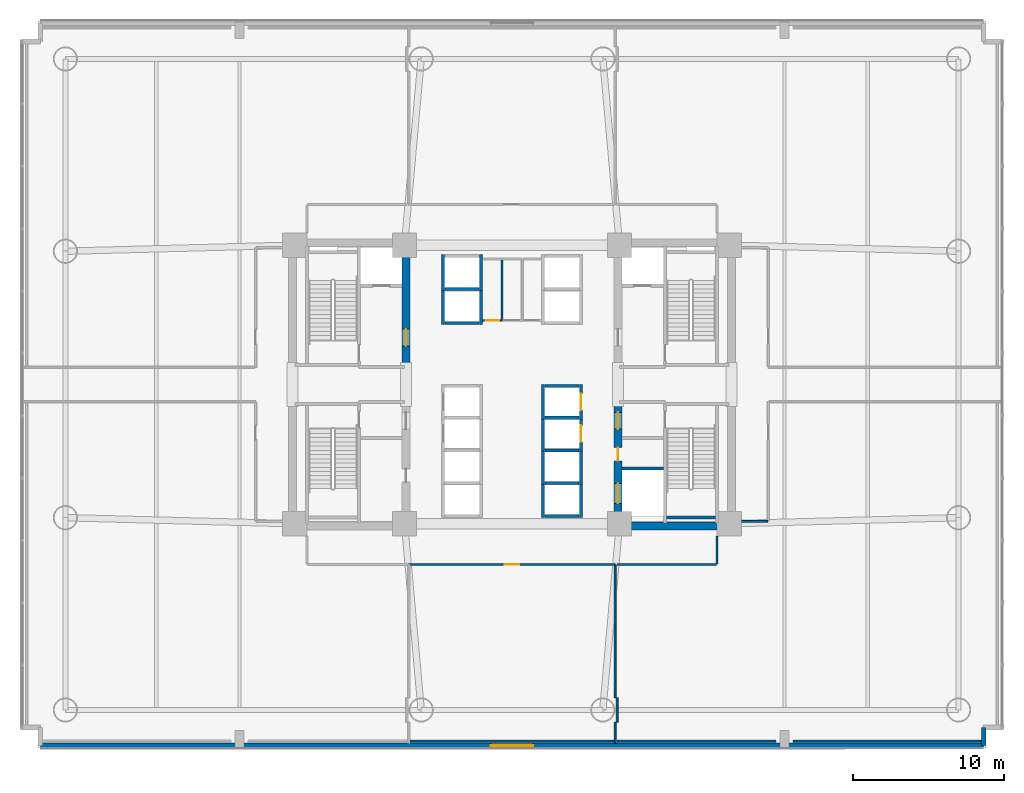
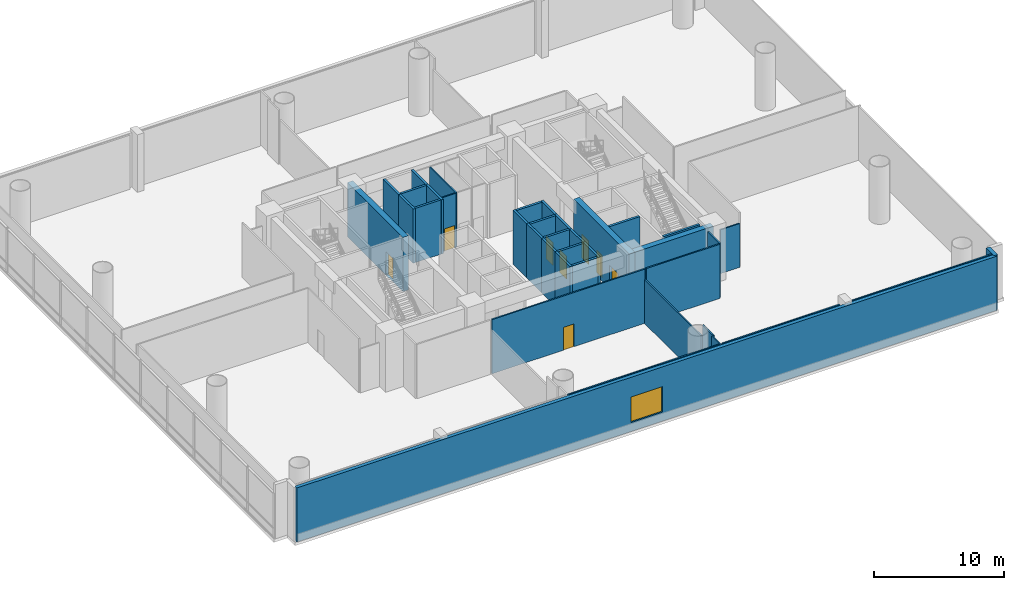
# One storey, part 8 of 15: 38 walls, 8 doors, 1 window, 9 openings.
"""IFC4 building model written with IfcOpenShell, lengths in metres."""

from ifc_helpers import new_model, si_unit, direction, frame, frame_2d, origin, place, context, subcontext, project, spatial, rectangle, extrude, source, transform, mapped, material, layer, layer_set, type_object, element, fill, save


model = new_model("IFC4")

# Units and contexts
model_context = context("Model", 3, precision=1e-05, world=origin(), true_north=direction((0.0, 1.0)))
body_context = subcontext(model_context, "Body", "Model", "MODEL_VIEW")
ifc_project = project(units=[si_unit("LENGTHUNIT", "METRE"), si_unit("AREAUNIT", "SQUARE_METRE"), si_unit("VOLUMEUNIT", "CUBIC_METRE"), si_unit("PLANEANGLEUNIT", "RADIAN"), si_unit("MASSUNIT", "GRAM", prefix="KILO")], contexts=[model_context])

# Site, building, storey
site_placement = place(None, origin())
site = spatial("IfcSite", under=ifc_project, at=site_placement, CompositionType="ELEMENT")
building_placement = place(site_placement, origin())
building = spatial("IfcBuilding", under=site, at=building_placement, Name="Zahravan Cultural Tower", CompositionType="ELEMENT")
storey_placement = place(building_placement, frame((0.0, 0.0, 7.199951171875)))
storey = spatial("IfcBuildingStorey", under=building, at=storey_placement, Name="L01", CompositionType="ELEMENT", Elevation=7.199951171875)

# Wall, opening, door
ifc_material_1 = material(Name="Concrete C60/75", Category="concrete")
ifc_layer_1 = layer(ifc_material_1, 0.5)
ifc_layer_set_1 = layer_set([ifc_layer_1], Name="Concrete C60/75")
wall_type_1 = type_object("IfcWallType", Name="CW-SHEAR-500-C60", PredefinedType="SHEAR", material=ifc_layer_set_1)
wall_1_placement = place(storey_placement, frame((29.0, 28.050048828125, 0.0), z_axis=(0.0, 0.0, 1.0), x_axis=(0.0, 1.0, 0.0)))
wall_1 = element("IfcWall", 1, at=wall_1_placement, inside=storey, type_object=wall_type_1, Name="L01 Core Shear Wall CW-W-EN-L01", PredefinedType="SHEAR", context=body_context, shape_type="SweptSolid", body=[
    extrude(rectangle(XDim=8.550048828125, YDim=0.5, at=frame_2d((4.27490234375, 0.0))), origin(), (0.0, 0.0, 1.0), 5.10009765625),
])
opening_1_placement = place(wall_1_placement, frame((1.5, 0.0, 0.0)))
opening_1 = element("IfcOpeningElement", 2, at=opening_1_placement, cuts=wall_1, Name="Opening D-L01-05", PredefinedType="OPENING", context=body_context, shape_type="SweptSolid", body=[
    extrude(rectangle(XDim=1.10009765625, YDim=2.199951171875, at=frame_2d((0.550048828125, 1.10009765625))), frame((0.0, 0.260009765625, 0.0), z_axis=(0.0, -1.0, 0.0), x_axis=(1.0, 0.0, 0.0)), (0.0, 0.0, 1.0), 0.52001953125),
])
ifc_material_2 = material(Name="Steel ASTM A572 Grade 50", Category="steel")
door_type_1 = type_object("IfcDoorType", Name="DR-LOBBY-1100", OperationType="NOTDEFINED", PredefinedType="DOOR", material=ifc_material_2)
shared_shape_1 = source(origin(), body_context, "Body", "SweptSolid", [
    extrude(rectangle(XDim=1.10009765625, YDim=2.199951171875, at=frame_2d((0.550048828125, 1.10009765625))), frame((0.0, 0.02490234375, 0.0), z_axis=(0.0, -1.0, 0.0), x_axis=(1.0, 0.0, 0.0)), (0.0, 0.0, 1.0), 0.050048828125),
])
door_1_placement = place(opening_1_placement, origin())
door_1 = element("IfcDoor", 3, at=door_1_placement, inside=storey, type_object=door_type_1, Name="L01 Door D-L01-05", OperationType="SINGLE_SWING_LEFT", OverallHeight=2.199951171875, OverallWidth=1.10009765625, PredefinedType="DOOR", context=body_context, shape_type="MappedRepresentation", body=[
    mapped(shared_shape_1, transform((0.0, 0.0, 0.0), x_axis=(1.0, 0.0, 0.0), y_axis=(0.0, 1.0, 0.0), z_axis=(0.0, 0.0, 1.0), scale=1.0)),
])
fill(opening_1, door_1)

# Wall, openings, doors
wall_2_placement = place(storey_placement, frame((43.0, 17.39990234375, 0.0), z_axis=(0.0, 0.0, 1.0), x_axis=(0.0, 1.0, 0.0)))
wall_2 = element("IfcWall", 4, at=wall_2_placement, inside=storey, type_object=wall_type_1, Name="L01 Core Shear Wall CW-E-WS-L01", PredefinedType="SHEAR", context=body_context, shape_type="SweptSolid", body=[
    extrude(rectangle(XDim=8.550048828125, YDim=0.5, at=frame_2d((4.27490234375, 0.0))), origin(), (0.0, 0.0, 1.0), 5.10009765625),
])
opening_2_placement = place(wall_2_placement, frame((6.64990234375, 0.0, 0.0)))
opening_2 = element("IfcOpeningElement", 5, at=opening_2_placement, cuts=wall_2, Name="Opening D-L01-08", PredefinedType="OPENING", context=body_context, shape_type="SweptSolid", body=[
    extrude(rectangle(XDim=1.10009765625, YDim=2.199951171875, at=frame_2d((0.550048828125, 1.10009765625))), frame((0.0, 0.260009765625, 0.0), z_axis=(0.0, -1.0, 0.0), x_axis=(1.0, 0.0, 0.0)), (0.0, 0.0, 1.0), 0.52001953125),
])
opening_3_placement = place(wall_2_placement, frame((1.75, 0.0, 0.0)))
opening_3 = element("IfcOpeningElement", 6, at=opening_3_placement, cuts=wall_2, Name="Opening LD-L01-03", PredefinedType="OPENING", context=body_context, shape_type="SweptSolid", body=[
    extrude(rectangle(XDim=1.300048828125, YDim=2.199951171875, at=frame_2d((0.64990234375, 1.10009765625))), frame((0.0, 0.260009765625, 0.0), z_axis=(0.0, -1.0, 0.0), x_axis=(1.0, 0.0, 0.0)), (0.0, 0.0, 1.0), 0.52001953125),
])
opening_4_placement = place(wall_2_placement, frame((4.550048828125, 0.0, 0.0)))
opening_4 = element("IfcOpeningElement", 7, at=opening_4_placement, cuts=wall_2, Name="Opening D-L01-10", PredefinedType="OPENING", context=body_context, shape_type="SweptSolid", body=[
    extrude(rectangle(XDim=0.8798828125, YDim=2.10009765625, at=frame_2d((0.43994140625, 1.050048828125))), frame((0.0, 0.260009765625, 0.0), z_axis=(0.0, -1.0, 0.0), x_axis=(1.0, 0.0, 0.0)), (0.0, 0.0, 1.0), 0.52001953125),
])
door_2_placement = place(opening_2_placement, origin())
door_2 = element("IfcDoor", 8, at=door_2_placement, inside=storey, type_object=door_type_1, Name="L01 Door D-L01-08", OperationType="SINGLE_SWING_RIGHT", OverallHeight=2.199951171875, OverallWidth=1.10009765625, PredefinedType="DOOR", context=body_context, shape_type="MappedRepresentation", body=[
    mapped(shared_shape_1, transform((0.0, 0.0, 0.0), x_axis=(1.0, 0.0, 0.0), y_axis=(0.0, 1.0, 0.0), z_axis=(0.0, 0.0, 1.0), scale=1.0)),
])
fill(opening_2, door_2)
door_type_2 = type_object("IfcDoorType", Name="DR-LIFT-1300", OperationType="DOUBLE_DOOR_SLIDING", PredefinedType="DOOR", material=ifc_material_2)
shared_shape_2 = source(origin(), body_context, "Body", "SweptSolid", [
    extrude(rectangle(XDim=1.300048828125, YDim=2.199951171875, at=frame_2d((0.64990234375, 1.10009765625))), frame((0.0, 0.02490234375, 0.0), z_axis=(0.0, -1.0, 0.0), x_axis=(1.0, 0.0, 0.0)), (0.0, 0.0, 1.0), 0.050048828125),
])
door_3_placement = place(opening_3_placement, origin())
door_3 = element("IfcDoor", 9, at=door_3_placement, inside=storey, type_object=door_type_2, Name="L01 Door LD-L01-03", OperationType="DOUBLE_DOOR_SLIDING", OverallHeight=2.199951171875, OverallWidth=1.300048828125, PredefinedType="DOOR", context=body_context, shape_type="MappedRepresentation", body=[
    mapped(shared_shape_2, transform((0.0, 0.0, 0.0), x_axis=(1.0, 0.0, 0.0), y_axis=(0.0, 1.0, 0.0), z_axis=(0.0, 0.0, 1.0), scale=1.0)),
])
fill(opening_3, door_3)
door_type_3 = type_object("IfcDoorType", Name="DR-SVC-880", OperationType="NOTDEFINED", PredefinedType="DOOR", material=ifc_material_2)
shared_shape_3 = source(origin(), body_context, "Body", "SweptSolid", [
    extrude(rectangle(XDim=0.8798828125, YDim=2.10009765625, at=frame_2d((0.43994140625, 1.050048828125))), frame((0.0, 0.02490234375, 0.0), z_axis=(0.0, -1.0, 0.0), x_axis=(1.0, 0.0, 0.0)), (0.0, 0.0, 1.0), 0.050048828125),
])
door_4_placement = place(opening_4_placement, origin())
door_4 = element("IfcDoor", 10, at=door_4_placement, inside=storey, type_object=door_type_3, Name="L01 Door D-L01-10", OperationType="SINGLE_SWING_RIGHT", OverallHeight=2.10009765625, OverallWidth=0.8798828125, PredefinedType="DOOR", context=body_context, shape_type="MappedRepresentation", body=[
    mapped(shared_shape_3, transform((0.0, 0.0, 0.0), x_axis=(1.0, 0.0, 0.0), y_axis=(0.0, 1.0, 0.0), z_axis=(0.0, 0.0, 1.0), scale=1.0)),
])
fill(opening_4, door_4)

# Wall, opening, window
ifc_material_3 = material(Name="Precast concrete C40/50", Category="concrete")
ifc_layer_2 = layer(ifc_material_3, 0.320068359375)
ifc_layer_set_2 = layer_set([ifc_layer_2], Name="Precast concrete C40/50")
wall_type_2 = type_object("IfcWallType", Name="EW-TC-320", PredefinedType="SOLIDWALL", material=ifc_layer_set_2)
wall_3_placement = place(storey_placement, frame((67.159912109375, 3.139892578125, 0.0), z_axis=(0.0, 0.0, 1.0), x_axis=(-1.0, 0.0, 0.0)))
wall_3 = element("IfcWall", 11, at=wall_3_placement, inside=storey, type_object=wall_type_2, Name="L01 Exterior Masonry Frame Wall 03", PredefinedType="SOLIDWALL", context=body_context, shape_type="SweptSolid", body=[
    extrude(rectangle(XDim=62.31982421875, YDim=0.320068359375, at=frame_2d((31.159912109375, 0.0))), origin(), (0.0, 0.0, 1.0), 5.10009765625),
])
opening_5_placement = place(wall_3_placement, frame((29.760009765625, 0.0, 0.85009765625)))
opening_5 = element("IfcOpeningElement", 12, at=opening_5_placement, cuts=wall_3, Name="Opening WN-04", PredefinedType="OPENING", context=body_context, shape_type="SweptSolid", body=[
    extrude(rectangle(XDim=2.800048828125, YDim=2.39990234375, at=frame_2d((1.39990234375, 1.199951171875))), frame((0.0, 0.169921875, 0.0), z_axis=(0.0, -1.0, 0.0), x_axis=(1.0, 0.0, 0.0)), (0.0, 0.0, 1.0), 0.340087890625),
])
ifc_material_4 = material(Name="Low-E solar-control double glazing", Category="glass")
window_type = type_object("IfcWindowType", Name="WN-POD-2800X2400", PartitioningType="TRIPLE_PANEL_VERTICAL", PredefinedType="WINDOW", material=ifc_material_4)
shared_shape_4 = source(origin(), body_context, "Body", "SweptSolid", [
    extrude(rectangle(XDim=2.800048828125, YDim=2.39990234375, at=frame_2d((1.39990234375, 1.199951171875))), frame((0.0, 0.030029296875, 0.0), z_axis=(0.0, -1.0, 0.0), x_axis=(1.0, 0.0, 0.0)), (0.0, 0.0, 1.0), 0.06005859375),
])
window_placement = place(opening_5_placement, origin())
window = element("IfcWindow", 13, at=window_placement, inside=storey, type_object=window_type, Name="L01 Recessed Solar Window 01", OverallHeight=2.39990234375, OverallWidth=2.800048828125, PartitioningType="TRIPLE_PANEL_VERTICAL", PredefinedType="WINDOW", context=body_context, shape_type="MappedRepresentation", body=[
    mapped(shared_shape_4, transform((0.0, 0.0, 0.0), x_axis=(1.0, 0.0, 0.0), y_axis=(0.0, 1.0, 0.0), z_axis=(0.0, 0.0, 1.0), scale=1.0)),
])
fill(opening_5, window)

# Wall, opening, door
ifc_material_5 = material(Name="Gypsum plasterboard partition")
ifc_layer_3 = layer(ifc_material_5, 0.125)
ifc_layer_set_3 = layer_set([ifc_layer_3], Name="Gypsum plasterboard partition")
wall_type_3 = type_object("IfcWallType", Name="W-PART-125", PredefinedType="PARTITIONING", material=ifc_layer_set_3)
wall_4_placement = place(storey_placement, frame((29.18994140625, 15.110107421875, 0.0), z_axis=(0.0, 0.0, 1.0), x_axis=(1.0, 0.0, 0.0)))
wall_4 = element("IfcWall", 14, at=wall_4_placement, inside=storey, type_object=wall_type_3, Name="L01 Interior Wall 077", PredefinedType="PARTITIONING", context=body_context, shape_type="SweptSolid", body=[
    extrude(rectangle(XDim=13.6201171875, YDim=0.125, at=frame_2d((6.81005859375, 0.0))), origin(), (0.0, 0.0, 1.0), 5.10009765625),
])
opening_6_placement = place(wall_4_placement, frame((6.3349609375, 0.0, 0.0)))
opening_6 = element("IfcOpeningElement", 15, at=opening_6_placement, cuts=wall_4, Name="Opening D-L01-18", PredefinedType="OPENING", context=body_context, shape_type="SweptSolid", body=[
    extrude(rectangle(XDim=0.949951171875, YDim=2.14990234375, at=frame_2d((0.47509765625, 1.074951171875))), frame((0.0, 0.072509765625, 0.0), z_axis=(0.0, -1.0, 0.0), x_axis=(1.0, 0.0, 0.0)), (0.0, 0.0, 1.0), 0.14501953125),
])
ifc_material_6 = material(Name="Anodised bronze-aluminium mullion", Category="aluminium")
door_type_4 = type_object("IfcDoorType", Name="DR-ROOM-950", OperationType="NOTDEFINED", PredefinedType="DOOR", material=ifc_material_6)
shared_shape_5 = source(origin(), body_context, "Body", "SweptSolid", [
    extrude(rectangle(XDim=0.949951171875, YDim=2.14990234375, at=frame_2d((0.47509765625, 1.074951171875))), frame((0.0, 0.02490234375, 0.0), z_axis=(0.0, -1.0, 0.0), x_axis=(1.0, 0.0, 0.0)), (0.0, 0.0, 1.0), 0.050048828125),
])
door_5_placement = place(opening_6_placement, origin())
door_5 = element("IfcDoor", 16, at=door_5_placement, inside=storey, type_object=door_type_4, Name="L01 Door D-L01-18", OperationType="SINGLE_SWING_RIGHT", OverallHeight=2.14990234375, OverallWidth=0.949951171875, PredefinedType="DOOR", context=body_context, shape_type="MappedRepresentation", body=[
    mapped(shared_shape_5, transform((0.0, 0.0, 0.0), x_axis=(1.0, 0.0, 0.0), y_axis=(0.0, 1.0, 0.0), z_axis=(0.0, 0.0, 1.0), scale=1.0)),
])
fill(opening_6, door_5)

ifc_material_7 = material(Name="Concrete C45/55", Category="concrete")
ifc_layer_4 = layer(ifc_material_7, 0.199951171875)
ifc_layer_set_4 = layer_set([ifc_layer_4], Name="Concrete C45/55")
wall_type_4 = type_object("IfcWallType", Name="W-SHAFT-200", PredefinedType="SOLIDWALL", material=ifc_layer_set_4)
wall_5_placement = place(storey_placement, frame((40.550048828125, 24.699951171875, 0.0), z_axis=(0.0, 0.0, 1.0), x_axis=(0.0, 1.0, 0.0)))
wall_5 = element("IfcWall", 17, at=wall_5_placement, inside=storey, type_object=wall_type_4, Name="L01 Interior Wall 061", PredefinedType="SOLIDWALL", context=body_context, shape_type="SweptSolid", body=[
    extrude(rectangle(XDim=2.300048828125, YDim=0.199951171875, at=frame_2d((1.14990234375, 0.0))), origin(), (0.0, 0.0, 1.0), 5.10009765625),
])
opening_7_placement = place(wall_5_placement, frame((0.60009765625, 0.0, 0.0)))
opening_7 = element("IfcOpeningElement", 18, at=opening_7_placement, cuts=wall_5, Name="Opening LD-L01-06", PredefinedType="OPENING", context=body_context, shape_type="SweptSolid", body=[
    extrude(rectangle(XDim=1.10009765625, YDim=2.14990234375, at=frame_2d((0.550048828125, 1.074951171875))), frame((0.0, 0.10986328125, 0.0), z_axis=(0.0, -1.0, 0.0), x_axis=(1.0, 0.0, 0.0)), (0.0, 0.0, 1.0), 0.219970703125),
])
door_type_5 = type_object("IfcDoorType", Name="DR-LIFT-1100", OperationType="DOUBLE_DOOR_SLIDING", PredefinedType="DOOR", material=ifc_material_2)
shared_shape_6 = source(origin(), body_context, "Body", "SweptSolid", [
    extrude(rectangle(XDim=1.10009765625, YDim=2.14990234375, at=frame_2d((0.550048828125, 1.074951171875))), frame((0.0, 0.02490234375, 0.0), z_axis=(0.0, -1.0, 0.0), x_axis=(1.0, 0.0, 0.0)), (0.0, 0.0, 1.0), 0.050048828125),
])
door_6_placement = place(opening_7_placement, origin())
door_6 = element("IfcDoor", 19, at=door_6_placement, inside=storey, type_object=door_type_5, Name="L01 Door LD-L01-06", OperationType="DOUBLE_DOOR_SLIDING", OverallHeight=2.14990234375, OverallWidth=1.10009765625, PredefinedType="DOOR", context=body_context, shape_type="MappedRepresentation", body=[
    mapped(shared_shape_6, transform((0.0, 0.0, 0.0), x_axis=(1.0, 0.0, 0.0), y_axis=(0.0, 1.0, 0.0), z_axis=(0.0, 0.0, 1.0), scale=1.0)),
])
fill(opening_7, door_6)

wall_6_placement = place(storey_placement, frame((40.550048828125, 22.60009765625, 0.0), z_axis=(0.0, 0.0, 1.0), x_axis=(0.0, 1.0, 0.0)))
wall_6 = element("IfcWall", 20, at=wall_6_placement, inside=storey, type_object=wall_type_4, Name="L01 Interior Wall 065", PredefinedType="SOLIDWALL", context=body_context, shape_type="SweptSolid", body=[
    extrude(rectangle(XDim=2.2998046875, YDim=0.199951171875, at=frame_2d((1.14990234375, 0.0))), origin(), (0.0, 0.0, 1.0), 5.10009765625),
])
opening_8_placement = place(wall_6_placement, frame((0.60009765625, 0.0, 0.0)))
opening_8 = element("IfcOpeningElement", 21, at=opening_8_placement, cuts=wall_6, Name="Opening LD-L01-07", PredefinedType="OPENING", context=body_context, shape_type="SweptSolid", body=[
    extrude(rectangle(XDim=1.10009765625, YDim=2.14990234375, at=frame_2d((0.550048828125, 1.074951171875))), frame((0.0, 0.10986328125, 0.0), z_axis=(0.0, -1.0, 0.0), x_axis=(1.0, 0.0, 0.0)), (0.0, 0.0, 1.0), 0.219970703125),
])
door_7_placement = place(opening_8_placement, origin())
door_7 = element("IfcDoor", 22, at=door_7_placement, inside=storey, type_object=door_type_5, Name="L01 Door LD-L01-07", OperationType="DOUBLE_DOOR_SLIDING", OverallHeight=2.14990234375, OverallWidth=1.10009765625, PredefinedType="DOOR", context=body_context, shape_type="MappedRepresentation", body=[
    mapped(shared_shape_6, transform((0.0, 0.0, 0.0), x_axis=(1.0, 0.0, 0.0), y_axis=(0.0, 1.0, 0.0), z_axis=(0.0, 0.0, 1.0), scale=1.0)),
])
fill(opening_8, door_7)

ifc_layer_5 = layer(ifc_material_5, 0.114990234375)
ifc_layer_set_5 = layer_set([ifc_layer_5], Name="Gypsum plasterboard partition")
wall_type_5 = type_object("IfcWallType", Name="W-WC-115", PredefinedType="PARTITIONING", material=ifc_layer_set_5)
wall_7_placement = place(storey_placement, frame((35.277587890625, 31.219970703125, 0.0), z_axis=(0.0, 0.0, 1.0), x_axis=(-1.0, 0.0, 0.0)))
wall_7 = element("IfcWall", 23, at=wall_7_placement, inside=storey, type_object=wall_type_5, Name="L01 Interior Wall 071", PredefinedType="PARTITIONING", context=body_context, shape_type="SweptSolid", body=[
    extrude(rectangle(XDim=1.22265625, YDim=0.114990234375, at=frame_2d((0.611328125, 0.0))), origin(), (0.0, 0.0, 1.0), 5.10009765625),
])
opening_9_placement = place(wall_7_placement, frame((0.10986328125, 0.0, 0.0)))
opening_9 = element("IfcOpeningElement", 24, at=opening_9_placement, cuts=wall_7, Name="Opening D-L01-11", PredefinedType="OPENING", context=body_context, shape_type="SweptSolid", body=[
    extrude(rectangle(XDim=0.89990234375, YDim=2.10009765625, at=frame_2d((0.449951171875, 1.050048828125))), frame((0.0, 0.0673828125, 0.0), z_axis=(0.0, -1.0, 0.0), x_axis=(1.0, 0.0, 0.0)), (0.0, 0.0, 1.0), 0.135009765625),
])
door_type_6 = type_object("IfcDoorType", Name="DR-WC-900", OperationType="NOTDEFINED", PredefinedType="DOOR", material=ifc_material_6)
shared_shape_7 = source(origin(), body_context, "Body", "SweptSolid", [
    extrude(rectangle(XDim=0.89990234375, YDim=2.10009765625, at=frame_2d((0.449951171875, 1.050048828125))), frame((0.0, 0.02490234375, 0.0), z_axis=(0.0, -1.0, 0.0), x_axis=(1.0, 0.0, 0.0)), (0.0, 0.0, 1.0), 0.050048828125),
])
door_8_placement = place(opening_9_placement, origin())
door_8 = element("IfcDoor", 25, at=door_8_placement, inside=storey, type_object=door_type_6, Name="L01 Door D-L01-11", OperationType="SINGLE_SWING_LEFT", OverallHeight=2.10009765625, OverallWidth=0.89990234375, PredefinedType="DOOR", context=body_context, shape_type="MappedRepresentation", body=[
    mapped(shared_shape_7, transform((0.0, 0.0, 0.0), x_axis=(1.0, 0.0, 0.0), y_axis=(0.0, 1.0, 0.0), z_axis=(0.0, 0.0, 1.0), scale=1.0)),
])
fill(opening_9, door_8)

# Walls
shared_shape_8 = source(origin(), body_context, "Body", "SweptSolid", [
    extrude(rectangle(XDim=7.0, YDim=0.5, at=frame_2d((3.5, 0.0))), origin(), (0.0, 0.0, 1.0), 5.10009765625),
])
wall_8_placement = place(storey_placement, frame((43.25, 17.64990234375, 0.0), z_axis=(0.0, 0.0, 1.0), x_axis=(1.0, 0.0, 0.0)))
element("IfcWall", 26, at=wall_8_placement, inside=storey, type_object=wall_type_1, Name="L01 Core Shear Wall CW-E-S-L01", PredefinedType="SHEAR", context=body_context, shape_type="MappedRepresentation", body=[
    mapped(shared_shape_8, transform((0.0, 0.0, 0.0), x_axis=(1.0, 0.0, 0.0), y_axis=(0.0, 1.0, 0.0), z_axis=(0.0, 0.0, 1.0), scale=1.0)),
])
shared_shape_9 = source(origin(), body_context, "Body", "SweptSolid", [
    extrude(rectangle(XDim=1.2001953125, YDim=0.320068359375, at=frame_2d((0.60009765625, 0.0))), origin(), (0.0, 0.0, 1.0), 5.10009765625),
])
wall_9_placement = place(storey_placement, frame((67.159912109375, 4.340087890625, 0.0), z_axis=(0.0, 0.0, 1.0), x_axis=(0.0, -1.0, 0.0)))
element("IfcWall", 27, at=wall_9_placement, inside=storey, type_object=wall_type_2, Name="L01 Exterior Masonry Frame Wall 02", PredefinedType="SOLIDWALL", context=body_context, shape_type="MappedRepresentation", body=[
    mapped(shared_shape_9, transform((0.0, 0.0, 0.0), x_axis=(1.0, 0.0, 0.0), y_axis=(0.0, 1.0, 0.0), z_axis=(0.0, 0.0, 1.0), scale=1.0)),
])
shared_shape_10 = source(origin(), body_context, "Body", "SweptSolid", [
    extrude(rectangle(XDim=3.25, YDim=0.199951171875, at=frame_2d((1.625, 0.0))), origin(), (0.0, 0.0, 1.0), 5.10009765625),
])
wall_10_placement = place(storey_placement, frame((46.199951171875, 18.199951171875, 0.0), z_axis=(0.0, 0.0, 1.0), x_axis=(1.0, 0.0, 0.0)))
element("IfcWall", 28, at=wall_10_placement, inside=storey, type_object=wall_type_4, Name="L01 Interior Wall 020", PredefinedType="SOLIDWALL", context=body_context, shape_type="MappedRepresentation", body=[
    mapped(shared_shape_10, transform((0.0, 0.0, 0.0), x_axis=(1.0, 0.0, 0.0), y_axis=(0.0, 1.0, 0.0), z_axis=(0.0, 0.0, 1.0), scale=1.0)),
])
shared_shape_11 = source(origin(), body_context, "Body", "SweptSolid", [
    extrude(rectangle(XDim=2.75, YDim=0.199951171875, at=frame_2d((1.375, 0.0))), origin(), (0.0, 0.0, 1.0), 5.10009765625),
])
wall_11_placement = place(storey_placement, frame((43.25, 21.449951171875, 0.0), z_axis=(0.0, 0.0, 1.0), x_axis=(1.0, 0.0, 0.0)))
element("IfcWall", 29, at=wall_11_placement, inside=storey, type_object=wall_type_4, Name="L01 Interior Wall 025", PredefinedType="SOLIDWALL", context=body_context, shape_type="MappedRepresentation", body=[
    mapped(shared_shape_11, transform((0.0, 0.0, 0.0), x_axis=(1.0, 0.0, 0.0), y_axis=(0.0, 1.0, 0.0), z_axis=(0.0, 0.0, 1.0), scale=1.0)),
])
shared_shape_12 = source(origin(), body_context, "Body", "SweptSolid", [
    extrude(rectangle(XDim=2.400146484375, YDim=0.199951171875, at=frame_2d((1.2001953125, 0.0))), origin(), (0.0, 0.0, 1.0), 5.10009765625),
])
for number, where, z_axis, x_axis, name in (
    (30, (31.449951171875, 33.199951171875, 0.0), (0.0, 0.0, 1.0), (0.0, 1.0, 0.0), "L01 Interior Wall 026"),
    (31, (33.949951171875, 33.199951171875, 0.0), (0.0, 0.0, 1.0), (0.0, 1.0, 0.0), "L01 Interior Wall 027"),
    (32, (31.449951171875, 30.949951171875, 0.0), (0.0, 0.0, 1.0), (0.0, 1.0, 0.0), "L01 Interior Wall 030"),
    (33, (33.949951171875, 30.949951171875, 0.0), (0.0, 0.0, 1.0), (0.0, 1.0, 0.0), "L01 Interior Wall 031"),
):
    element("IfcWall", number, at=place(storey_placement, frame(where, z_axis=z_axis, x_axis=x_axis)), inside=storey, type_object=wall_type_4, Name=name, PredefinedType="SOLIDWALL", context=body_context, shape_type="MappedRepresentation", body=[
        mapped(shared_shape_12, transform((0.0, 0.0, 0.0), x_axis=(1.0, 0.0, 0.0), y_axis=(0.0, 1.0, 0.0), z_axis=(0.0, 0.0, 1.0), scale=1.0)),
    ])
shared_shape_13 = source(origin(), body_context, "Body", "SweptSolid", [
    extrude(rectangle(XDim=2.260009765625, YDim=0.199951171875, at=frame_2d((1.1298828125, 0.0))), origin(), (0.0, 0.0, 1.0), 5.10009765625),
])
for number, where, z_axis, x_axis, name in (
    (34, (31.570068359375, 33.300048828125, 0.0), (0.0, 0.0, 1.0), (1.0, 0.0, 0.0), "L01 Interior Wall 028"),
    (35, (31.570068359375, 31.050048828125, 0.0), (0.0, 0.0, 1.0), (1.0, 0.0, 0.0), "L01 Interior Wall 032"),
    (36, (38.169921875, 20.5, 0.0), (0.0, 0.0, 1.0), (1.0, 0.0, 0.0), "L01 Interior Wall 049"),
    (37, (38.169921875, 22.64990234375, 0.0), (0.0, 0.0, 1.0), (1.0, 0.0, 0.0), "L01 Interior Wall 050"),
    (38, (38.169921875, 18.300048828125, 0.0), (0.0, 0.0, 1.0), (1.0, 0.0, 0.0), "L01 Interior Wall 053"),
    (39, (38.169921875, 24.800048828125, 0.0), (0.0, 0.0, 1.0), (1.0, 0.0, 0.0), "L01 Interior Wall 062"),
    (40, (38.169921875, 26.89990234375, 0.0), (0.0, 0.0, 1.0), (1.0, 0.0, 0.0), "L01 Interior Wall 063"),
):
    element("IfcWall", number, at=place(storey_placement, frame(where, z_axis=z_axis, x_axis=x_axis)), inside=storey, type_object=wall_type_4, Name=name, PredefinedType="SOLIDWALL", context=body_context, shape_type="MappedRepresentation", body=[
        mapped(shared_shape_13, transform((0.0, 0.0, 0.0), x_axis=(1.0, 0.0, 0.0), y_axis=(0.0, 1.0, 0.0), z_axis=(0.0, 0.0, 1.0), scale=1.0)),
    ])
shared_shape_14 = source(origin(), body_context, "Body", "SweptSolid", [
    extrude(rectangle(XDim=2.35009765625, YDim=0.199951171875, at=frame_2d((1.175048828125, 0.0))), origin(), (0.0, 0.0, 1.0), 5.10009765625),
])
for number, where, z_axis, x_axis, name in (
    (41, (38.050048828125, 20.39990234375, 0.0), (0.0, 0.0, 1.0), (0.0, 1.0, 0.0), "L01 Interior Wall 047"),
    (42, (40.550048828125, 20.39990234375, 0.0), (0.0, 0.0, 1.0), (0.0, 1.0, 0.0), "L01 Interior Wall 048"),
    (43, (38.050048828125, 18.199951171875, 0.0), (0.0, 0.0, 1.0), (0.0, 1.0, 0.0), "L01 Interior Wall 051"),
    (44, (40.550048828125, 18.199951171875, 0.0), (0.0, 0.0, 1.0), (0.0, 1.0, 0.0), "L01 Interior Wall 052"),
):
    element("IfcWall", number, at=place(storey_placement, frame(where, z_axis=z_axis, x_axis=x_axis)), inside=storey, type_object=wall_type_4, Name=name, PredefinedType="SOLIDWALL", context=body_context, shape_type="MappedRepresentation", body=[
        mapped(shared_shape_14, transform((0.0, 0.0, 0.0), x_axis=(1.0, 0.0, 0.0), y_axis=(0.0, 1.0, 0.0), z_axis=(0.0, 0.0, 1.0), scale=1.0)),
    ])
shared_shape_15 = source(origin(), body_context, "Body", "SweptSolid", [
    extrude(rectangle(XDim=2.300048828125, YDim=0.199951171875, at=frame_2d((1.14990234375, 0.0))), origin(), (0.0, 0.0, 1.0), 5.10009765625),
])
wall_12_placement = place(storey_placement, frame((38.050048828125, 24.699951171875, 0.0), z_axis=(0.0, 0.0, 1.0), x_axis=(0.0, 1.0, 0.0)))
element("IfcWall", 45, at=wall_12_placement, inside=storey, type_object=wall_type_4, Name="L01 Interior Wall 060", PredefinedType="SOLIDWALL", context=body_context, shape_type="MappedRepresentation", body=[
    mapped(shared_shape_15, transform((0.0, 0.0, 0.0), x_axis=(1.0, 0.0, 0.0), y_axis=(0.0, 1.0, 0.0), z_axis=(0.0, 0.0, 1.0), scale=1.0)),
])
shared_shape_16 = source(origin(), body_context, "Body", "SweptSolid", [
    extrude(rectangle(XDim=2.2998046875, YDim=0.199951171875, at=frame_2d((1.14990234375, 0.0))), origin(), (0.0, 0.0, 1.0), 5.10009765625),
])
wall_13_placement = place(storey_placement, frame((38.050048828125, 22.60009765625, 0.0), z_axis=(0.0, 0.0, 1.0), x_axis=(0.0, 1.0, 0.0)))
element("IfcWall", 46, at=wall_13_placement, inside=storey, type_object=wall_type_4, Name="L01 Interior Wall 064", PredefinedType="SOLIDWALL", context=body_context, shape_type="MappedRepresentation", body=[
    mapped(shared_shape_16, transform((0.0, 0.0, 0.0), x_axis=(1.0, 0.0, 0.0), y_axis=(0.0, 1.0, 0.0), z_axis=(0.0, 0.0, 1.0), scale=1.0)),
])
shared_shape_17 = source(origin(), body_context, "Body", "SweptSolid", [
    extrude(rectangle(XDim=3.99755859375, YDim=0.114990234375, at=frame_2d((1.998779296875, 0.0))), origin(), (0.0, 0.0, 1.0), 5.10009765625),
])
wall_14_placement = place(storey_placement, frame((35.340087890625, 35.217529296875, 0.0), z_axis=(0.0, 0.0, 1.0), x_axis=(0.0, -1.0, 0.0)))
element("IfcWall", 47, at=wall_14_placement, inside=storey, type_object=wall_type_5, Name="L01 Interior Wall 070", PredefinedType="PARTITIONING", context=body_context, shape_type="MappedRepresentation", body=[
    mapped(shared_shape_17, transform((0.0, 0.0, 0.0), x_axis=(1.0, 0.0, 0.0), y_axis=(0.0, 1.0, 0.0), z_axis=(0.0, 0.0, 1.0), scale=1.0)),
])
shared_shape_18 = source(origin(), body_context, "Body", "SweptSolid", [
    extrude(rectangle(XDim=13.6201171875, YDim=0.125, at=frame_2d((6.81005859375, 0.0))), origin(), (0.0, 0.0, 1.0), 5.10009765625),
])
wall_15_placement = place(storey_placement, frame((42.81005859375, 3.43994140625, 0.0), z_axis=(0.0, 0.0, 1.0), x_axis=(-1.0, 0.0, 0.0)))
element("IfcWall", 48, at=wall_15_placement, inside=storey, type_object=wall_type_3, Name="L01 Interior Wall 074", PredefinedType="PARTITIONING", context=body_context, shape_type="MappedRepresentation", body=[
    mapped(shared_shape_18, transform((0.0, 0.0, 0.0), x_axis=(1.0, 0.0, 0.0), y_axis=(0.0, 1.0, 0.0), z_axis=(0.0, 0.0, 1.0), scale=1.0)),
])
shared_shape_19 = source(origin(), body_context, "Body", "SweptSolid", [
    extrude(rectangle(XDim=1.3798828125, YDim=0.125, at=frame_2d((0.68994140625, 0.0))), origin(), (0.0, 0.0, 1.0), 5.10009765625),
])
wall_16_placement = place(storey_placement, frame((42.81005859375, 4.679931640625, 0.0), z_axis=(0.0, 0.0, 1.0), x_axis=(0.0, -1.0, 0.0)))
element("IfcWall", 49, at=wall_16_placement, inside=storey, type_object=wall_type_3, Name="L01 Interior Wall 079", PredefinedType="PARTITIONING", context=body_context, shape_type="MappedRepresentation", body=[
    mapped(shared_shape_19, transform((0.0, 0.0, 0.0), x_axis=(1.0, 0.0, 0.0), y_axis=(0.0, 1.0, 0.0), z_axis=(0.0, 0.0, 1.0), scale=1.0)),
])
shared_shape_20 = source(origin(), body_context, "Body", "SweptSolid", [
    extrude(rectangle(XDim=8.722412109375, YDim=0.125, at=frame_2d((4.361328125, 0.0))), origin(), (0.0, 0.0, 1.0), 4.126953125),
])
wall_17_placement = place(storey_placement, frame((42.81005859375, 15.04248046875, 0.0), z_axis=(0.0, 0.0, 1.0), x_axis=(0.0, -1.0, 0.0)))
element("IfcWall", 50, at=wall_17_placement, inside=storey, type_object=wall_type_3, Name="L01 Interior Wall 078", PredefinedType="PARTITIONING", context=body_context, shape_type="MappedRepresentation", body=[
    mapped(shared_shape_20, transform((0.0, 0.0, 0.0), x_axis=(1.0, 0.0, 0.0), y_axis=(0.0, 1.0, 0.0), z_axis=(0.0, 0.0, 1.0), scale=1.0)),
])
shared_shape_21 = source(origin(), body_context, "Body", "SweptSolid", [
    extrude(rectangle(XDim=10.489990234375, YDim=0.125, at=frame_2d((5.2451171875, 0.0))), origin(), (0.0, 0.0, 1.0), 5.10009765625),
])
wall_18_placement = place(storey_placement, frame((53.429931640625, 3.43994140625, 0.0), z_axis=(0.0, 0.0, 1.0), x_axis=(-1.0, 0.0, 0.0)))
element("IfcWall", 51, at=wall_18_placement, inside=storey, type_object=wall_type_3, Name="L01 Interior Wall 106", PredefinedType="PARTITIONING", context=body_context, shape_type="MappedRepresentation", body=[
    mapped(shared_shape_21, transform((0.0, 0.0, 0.0), x_axis=(1.0, 0.0, 0.0), y_axis=(0.0, 1.0, 0.0), z_axis=(0.0, 0.0, 1.0), scale=1.0)),
])
shared_shape_22 = source(origin(), body_context, "Body", "SweptSolid", [
    extrude(rectangle(XDim=12.425048828125, YDim=0.125, at=frame_2d((6.21240234375, 0.0))), origin(), (0.0, 0.0, 1.0), 5.10009765625),
])
wall_19_placement = place(storey_placement, frame((66.9951171875, 3.43994140625, 0.0), z_axis=(0.0, 0.0, 1.0), x_axis=(-1.0, 0.0, 0.0)))
element("IfcWall", 52, at=wall_19_placement, inside=storey, type_object=wall_type_3, Name="L01 Interior Wall 105", PredefinedType="PARTITIONING", context=body_context, shape_type="MappedRepresentation", body=[
    mapped(shared_shape_22, transform((0.0, 0.0, 0.0), x_axis=(1.0, 0.0, 0.0), y_axis=(0.0, 1.0, 0.0), z_axis=(0.0, 0.0, 1.0), scale=1.0)),
])
shared_shape_23 = source(origin(), body_context, "Body", "SweptSolid", [
    extrude(rectangle(XDim=1.72412109375, YDim=0.125, at=frame_2d((0.862060546875, 0.0))), origin(), (0.0, 0.0, 1.0), 4.126953125),
])
wall_20_placement = place(storey_placement, frame((51.169921875, 17.9599609375, 0.0), z_axis=(0.0, 0.0, 1.0), x_axis=(1.0, 0.0, 0.0)))
element("IfcWall", 53, at=wall_20_placement, inside=storey, type_object=wall_type_3, Name="L01 Interior Wall 110", PredefinedType="PARTITIONING", context=body_context, shape_type="MappedRepresentation", body=[
    mapped(shared_shape_23, transform((0.0, 0.0, 0.0), x_axis=(1.0, 0.0, 0.0), y_axis=(0.0, 1.0, 0.0), z_axis=(0.0, 0.0, 1.0), scale=1.0)),
])
shared_shape_24 = source(origin(), body_context, "Body", "SweptSolid", [
    extrude(rectangle(XDim=6.55419921875, YDim=0.125, at=frame_2d((3.277099609375, 0.0))), origin(), (0.0, 0.0, 1.0), 5.10009765625),
])
wall_21_placement = place(storey_placement, frame((42.93994140625, 15.110107421875, 0.0), z_axis=(0.0, 0.0, 1.0), x_axis=(1.0, 0.0, 0.0)))
element("IfcWall", 54, at=wall_21_placement, inside=storey, type_object=wall_type_3, Name="L01 Interior Wall 108", PredefinedType="PARTITIONING", context=body_context, shape_type="MappedRepresentation", body=[
    mapped(shared_shape_24, transform((0.0, 0.0, 0.0), x_axis=(1.0, 0.0, 0.0), y_axis=(0.0, 1.0, 0.0), z_axis=(0.0, 0.0, 1.0), scale=1.0)),
])
shared_shape_25 = source(origin(), body_context, "Body", "SweptSolid", [
    extrude(rectangle(XDim=1.64013671875, YDim=0.125, at=frame_2d((0.820068359375, 0.0))), origin(), (0.0, 0.0, 1.0), 5.10009765625),
])
wall_22_placement = place(storey_placement, frame((42.93994140625, 4.679931640625, 0.0), z_axis=(0.0, 0.0, 1.0), x_axis=(0.0, 1.0, 0.0)))
element("IfcWall", 55, at=wall_22_placement, inside=storey, type_object=wall_type_3, Name="L01 Interior Wall 107", PredefinedType="PARTITIONING", context=body_context, shape_type="MappedRepresentation", body=[
    mapped(shared_shape_25, transform((0.0, 0.0, 0.0), x_axis=(1.0, 0.0, 0.0), y_axis=(0.0, 1.0, 0.0), z_axis=(0.0, 0.0, 1.0), scale=1.0)),
])
shared_shape_26 = source(origin(), body_context, "Body", "SweptSolid", [
    extrude(rectangle(XDim=1.832275390625, YDim=0.125, at=frame_2d((0.916015625, 0.0))), origin(), (0.0, 0.0, 1.0), 5.10009765625),
])
wall_23_placement = place(storey_placement, frame((49.53955078125, 15.147705078125, 0.0), z_axis=(0.0, 0.0, 1.0), x_axis=(0.000133244502, 0.999999991123, 0.0)))
element("IfcWall", 56, at=wall_23_placement, inside=storey, type_object=wall_type_3, Name="L01 Interior Wall 109", PredefinedType="PARTITIONING", context=body_context, shape_type="MappedRepresentation", body=[
    mapped(shared_shape_26, transform((0.0, 0.0, 0.0), x_axis=(1.0, 0.0, 0.0), y_axis=(0.0, 1.0, 0.0), z_axis=(0.0, 0.0, 1.0), scale=1.0)),
])

save(model, "model.ifc")
